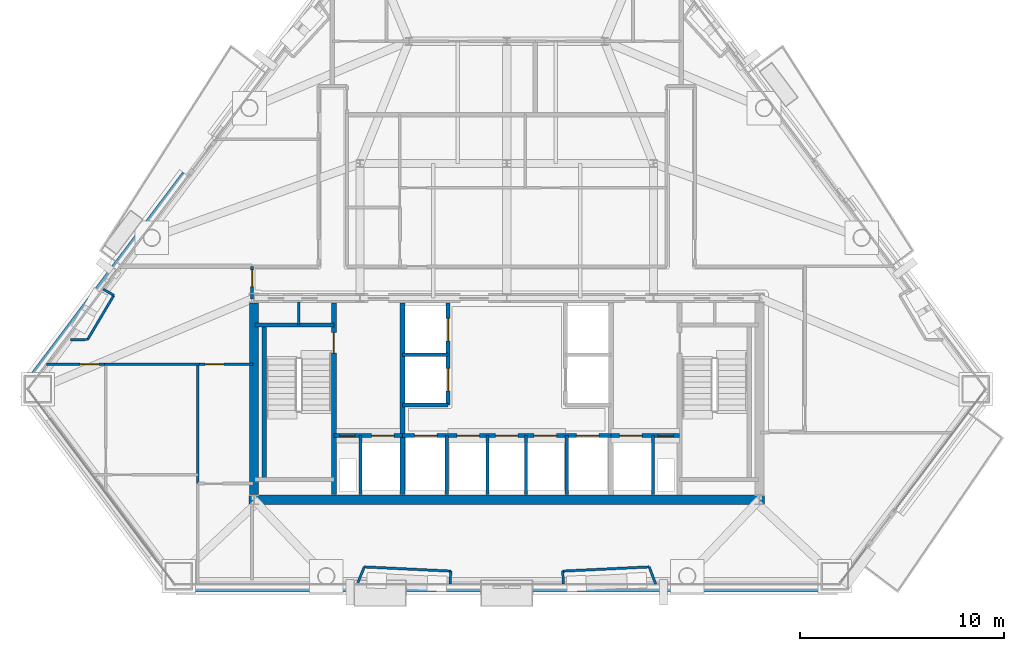
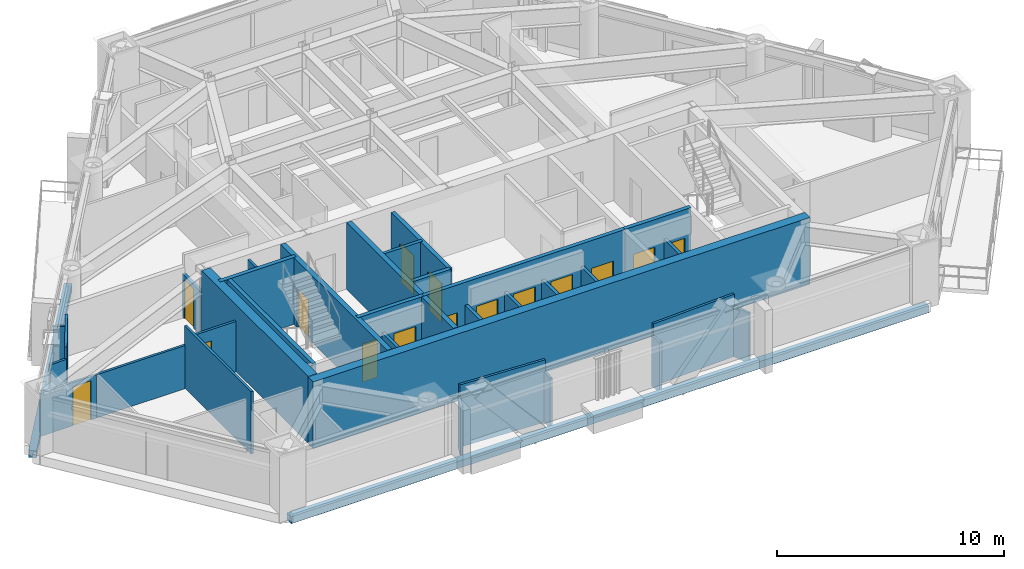
# One storey, part 6 of 11: 35 walls, 15 doors, 15 openings.
"""IFC4 building model written with IfcOpenShell, lengths in metres."""

import ifcopenshell
import ifcopenshell.guid

model = None  # the IFC model being written
_history = None  # IfcOwnerHistory: only IFC2X3 demands one
_inside = {}  # id of a spatial element -> (the spatial element, [elements in it])
_under = {}  # id of a project, library or spatial element -> (it, [spatial elements below it])
_declared = {}  # id of a project -> (the project, [libraries it declares])
_typed = {}  # id of a type object -> (the type object, [elements of that type])
_made_of = {}  # id of a material, layer set ... -> (it, [elements and type objects made of it])


def new_model(schema):
    """Start an empty IFC model of exactly this schema.

    Asked for "IFC4X3", IfcOpenShell would pick the latest addendum, in which some entities
    have other attributes; the version numbers below select the first issue.
    IFC2X3 requires an IfcOwnerHistory on every rooted entity: one is made here for all.
    """
    global model, _history
    if schema == "IFC4X3":
        model = ifcopenshell.file(schema_version=(4, 3, 0, 0))
    else:
        model = ifcopenshell.file(schema=schema)
    _inside.clear()
    _under.clear()
    _declared.clear()
    _typed.clear()
    _made_of.clear()
    _history = None
    if model.schema == "IFC2X3":
        org = make("IfcOrganization", Name="unknown")
        user = make(
            "IfcPersonAndOrganization",
            ThePerson=make("IfcPerson", FamilyName="unknown"),
            TheOrganization=org,
        )
        app = make(
            "IfcApplication",
            ApplicationDeveloper=org,
            Version="unknown",
            ApplicationFullName="unknown",
            ApplicationIdentifier="unknown",
        )
        _history = make(
            "IfcOwnerHistory",
            OwningUser=user,
            OwningApplication=app,
            ChangeAction="ADDED",
            CreationDate=0,
        )
    return model


def make(cls, **values):
    """One entity of the class cls with the attributes given. An attribute that is None is left unset."""
    return model.create_entity(
        cls, **{name: value for name, value in values.items() if value is not None}
    )


def rooted(cls, **values):
    """An entity with a GlobalId (a new one), such as an element, a storey or a relation."""
    return make(cls, GlobalId=ifcopenshell.guid.new(), OwnerHistory=_history, **values)


def si_unit(unit_type, name, prefix=None):
    """IfcSIUnit, for example si_unit("LENGTHUNIT", "METRE", prefix="MILLI")."""
    return make("IfcSIUnit", UnitType=unit_type, Prefix=prefix, Name=name)


def assignment(units):
    """IfcUnitAssignment: the units of a project."""
    return None if units is None else make("IfcUnitAssignment", Units=units)


def point(xyz):
    """IfcCartesianPoint."""
    return None if xyz is None else make("IfcCartesianPoint", Coordinates=xyz)


def direction(xyz):
    """IfcDirection."""
    return None if xyz is None else make("IfcDirection", DirectionRatios=xyz)


def frame(location, z_axis=None, x_axis=None):
    """IfcAxis2Placement3D, a coordinate frame: its origin and axes. An axis left out is left unset."""
    return make(
        "IfcAxis2Placement3D",
        Location=point(location),
        Axis=direction(z_axis),
        RefDirection=direction(x_axis),
    )


def frame_2d(location, x_axis=None):
    """IfcAxis2Placement2D, a coordinate frame in the plane: its origin and x axis."""
    return make(
        "IfcAxis2Placement2D", Location=point(location), RefDirection=direction(x_axis)
    )


def origin():
    """The frame at (0, 0, 0) with its axes left unset."""
    return frame((0.0, 0.0, 0.0))


def place(relative_to, where):
    """IfcLocalPlacement: puts the frame where relative to a parent placement (None: the world)."""
    return make(
        "IfcLocalPlacement", PlacementRelTo=relative_to, RelativePlacement=where
    )


def context(
    kind, dimensions, precision=None, world=None, true_north=None, identifier=None
):
    """IfcGeometricRepresentationContext, for example the 3D "Model" context."""
    return make(
        "IfcGeometricRepresentationContext",
        ContextIdentifier=identifier,
        ContextType=kind,
        CoordinateSpaceDimension=dimensions,
        Precision=precision,
        WorldCoordinateSystem=world,
        TrueNorth=true_north,
    )


def subcontext(parent, identifier, kind, view, scale=None):
    """IfcGeometricRepresentationSubContext, for example "Body" below "Model"."""
    return make(
        "IfcGeometricRepresentationSubContext",
        ContextIdentifier=identifier,
        ContextType=kind,
        ParentContext=parent,
        TargetScale=scale,
        TargetView=view,
    )


def project(units=None, contexts=None):
    """IfcProject with its units and contexts."""
    return rooted(
        "IfcProject",
        Name="project",
        RepresentationContexts=contexts,
        UnitsInContext=assignment(units),
    )


def spatial(cls, under=None, at=None, **own):
    """A site, building, storey or space (cls), placed at a placement, below another one or the project."""
    s = rooted(cls, ObjectPlacement=at, **own)
    if under is not None:
        _under.setdefault(under.id(), (under, []))[1].append(s)
    return s


def profile(cls, at=None, kind="AREA", **sizes):
    """A parametric profile (cls). Its sizes go by their IFC names, for example OverallWidth=200.0."""
    return make(cls, ProfileType=kind, Position=at, **sizes)


def rectangle(**sizes):
    """IfcRectangleProfileDef."""
    return profile("IfcRectangleProfileDef", **sizes)


def extrude(swept, where, along, depth):
    """IfcExtrudedAreaSolid: the profile swept, set in the frame where, extruded along a direction by depth."""
    return make(
        "IfcExtrudedAreaSolid",
        SweptArea=swept,
        Position=where,
        ExtrudedDirection=direction(along),
        Depth=depth,
    )


def shape(context_of_items, identifier, shape_type, items):
    """IfcShapeRepresentation: the items that make up one representation, for example the "Body"."""
    return make(
        "IfcShapeRepresentation",
        ContextOfItems=context_of_items,
        RepresentationIdentifier=identifier,
        RepresentationType=shape_type,
        Items=items,
    )


def material(Name=None, Category=None):
    """IfcMaterial."""
    return make("IfcMaterial", Name=Name, Category=Category)


def layer(
    of_material, thickness, ventilated=None, Name=None, Category=None, Priority=None
):
    """IfcMaterialLayer: one layer of a wall or slab, of a material (None: an air gap)."""
    return make(
        "IfcMaterialLayer",
        Material=of_material,
        LayerThickness=thickness,
        IsVentilated=ventilated,
        Name=Name,
        Category=Category,
        Priority=Priority,
    )


def layer_set(layers, Name=None):
    """IfcMaterialLayerSet."""
    return make("IfcMaterialLayerSet", MaterialLayers=layers, LayerSetName=Name)


def made_of(thing, what):
    """Note that an element or type object is made of a material, layer set ...; save() writes the relation."""
    if what is not None:
        _made_of.setdefault(what.id(), (what, []))[1].append(thing)
    return thing


def type_object(cls, material=None, **own):
    """A type object (cls), such as IfcWallType, which elements share."""
    return made_of(rooted(cls, **own), material)


def element(
    cls,
    number,
    at=None,
    inside=None,
    cuts=None,
    type_object=None,
    material=None,
    context=None,
    identifier="Body",
    shape_type=None,
    held_by="IfcProductDefinitionShape",
    body=None,
    shapes=None,
    **own,
):
    """One element of the class cls, such as IfcWall. Its Tag is "e" and its number.

    at: its placement. inside: the storey or other place that contains it. cuts: it is an
    opening in that element (IfcRelVoidsElement). A single representation is given by context,
    identifier, shape_type and body (its items); several are given by shapes. held_by: the class
    of the entity that holds the representations. save() writes the other relations.
    """
    e = rooted(cls, Tag="e%d" % number, ObjectPlacement=at, **own)
    if body is not None:
        shapes = [shape(context, identifier, shape_type, body)]
    if shapes is not None:
        e.Representation = make(held_by, Representations=shapes)
    if inside is not None:
        _inside.setdefault(inside.id(), (inside, []))[1].append(e)
    if cuts is not None:
        rooted(
            "IfcRelVoidsElement", RelatingBuildingElement=cuts, RelatedOpeningElement=e
        )
    if type_object is not None:
        _typed.setdefault(type_object.id(), (type_object, []))[1].append(e)
    return made_of(e, material)


def fill(opening, filler):
    """IfcRelFillsElement: the door or window that sits in an opening."""
    return rooted(
        "IfcRelFillsElement",
        RelatingOpeningElement=opening,
        RelatedBuildingElement=filler,
    )


def aggregate(whole, parts):
    """IfcRelAggregates: a whole, such as a stair, and the parts it consists of."""
    return rooted("IfcRelAggregates", RelatingObject=whole, RelatedObjects=parts)


def save(model, path):
    """Write the relations noted so far, then the file.

    IfcRelAggregates (storeys below a building ...), IfcRelContainedInSpatialStructure (elements
    in a storey), IfcRelDefinesByType, IfcRelAssociatesMaterial and IfcRelDeclares: one each for
    every whole, place, type object, material and project.
    """
    for whole, parts in _under.values():
        aggregate(whole, parts)
    for where, things in _inside.values():
        rooted(
            "IfcRelContainedInSpatialStructure",
            RelatedElements=things,
            RelatingStructure=where,
        )
    for kind, things in _typed.values():
        rooted("IfcRelDefinesByType", RelatedObjects=things, RelatingType=kind)
    for what, things in _made_of.values():
        rooted("IfcRelAssociatesMaterial", RelatedObjects=things, RelatingMaterial=what)
    for by, libraries in _declared.values():
        rooted("IfcRelDeclares", RelatingContext=by, RelatedDefinitions=libraries)
    model.write(path)


model = new_model("IFC4")

# Units and contexts
model_context = context("Model", 3, precision=1e-05, world=origin(), true_north=direction((0.0, 1.0)))
body_context = subcontext(model_context, "Body", "Model", "MODEL_VIEW")
ifc_project = project(units=[si_unit("LENGTHUNIT", "METRE"), si_unit("AREAUNIT", "SQUARE_METRE"), si_unit("VOLUMEUNIT", "CUBIC_METRE"), si_unit("PLANEANGLEUNIT", "RADIAN"), si_unit("MASSUNIT", "GRAM", prefix="KILO")], contexts=[model_context])

# Site, building, storey
site_placement = place(None, origin())
site = spatial("IfcSite", under=ifc_project, at=site_placement, CompositionType="ELEMENT")
building_placement = place(site_placement, origin())
building = spatial("IfcBuilding", under=site, at=building_placement, Name="Talgorran Terracotta Tower", CompositionType="ELEMENT")
storey_placement = place(building_placement, frame((0.0, 0.0, 79.199951171875)))
storey = spatial("IfcBuildingStorey", under=building, at=storey_placement, Name="L20", CompositionType="ELEMENT", Elevation=79.199951171875)

# Walls
ifc_material_1 = material(Name="Concrete C50/60", Category="concrete")
ifc_layer_1 = layer(ifc_material_1, 0.199951171875, Name="WT_CORE_200")
ifc_layer_set_1 = layer_set([ifc_layer_1], Name="Concrete C50/60")
wall_type_1 = type_object("IfcWallType", Name="WT_CORE_200", PredefinedType="SOLIDWALL", material=ifc_layer_set_1)
wall_1_placement = place(storey_placement, frame((-12.35009765625, -5.52001953125, 0.0), z_axis=(0.0, 0.0, 1.0), x_axis=(1.0, 0.0, 0.0)))
element("IfcWall", 1, at=wall_1_placement, inside=storey, type_object=wall_type_1, Name="WL-L20-CW-ST1-N", PredefinedType="SOLIDWALL", context=body_context, shape_type="SweptSolid", body=[
    extrude(rectangle(XDim=3.8701171875, YDim=0.199951171875, at=frame_2d((1.93505859375, 0.0))), origin(), (0.0, 0.0, 1.0), 3.60009765625),
])
wall_2_placement = place(storey_placement, frame((-11.89990234375, -13.10009765625, 0.0), z_axis=(0.0, 0.0, 1.0), x_axis=(0.0, 1.0, 0.0)))
element("IfcWall", 2, at=wall_2_placement, inside=storey, type_object=wall_type_1, Name="WL-L20-CW-ST1-W", PredefinedType="SOLIDWALL", context=body_context, shape_type="SweptSolid", body=[
    extrude(rectangle(XDim=7.580078125, YDim=0.199951171875, at=frame_2d((3.7900390625, 0.0))), origin(), (0.0, 0.0, 1.0), 3.60009765625),
])

# Wall, openings, doors
wall_3_placement = place(storey_placement, frame((-8.47998046875, -10.949951171875, 0.0), z_axis=(0.0, 0.0, 1.0), x_axis=(1.0, 0.0, 0.0)))
wall_3 = element("IfcWall", 3, at=wall_3_placement, inside=storey, type_object=wall_type_1, Name="WL-L20-CW-H-SBW", PredefinedType="SOLIDWALL", context=body_context, shape_type="SweptSolid", body=[
    extrude(rectangle(XDim=3.35986328125, YDim=0.199951171875, at=frame_2d((1.679931640625, 0.0))), origin(), (0.0, 0.0, 1.0), 3.60009765625),
])
opening_1_placement = place(wall_3_placement, frame((0.280029296875, 0.0, 0.0)))
opening_1 = element("IfcOpeningElement", 4, at=opening_1_placement, cuts=wall_3, Name="Opening DR-RSW", PredefinedType="OPENING", context=body_context, shape_type="SweptSolid", body=[
    extrude(rectangle(XDim=0.756, YDim=2.054048828125, at=frame_2d((0.375, 1.027099609375))), frame((0.0, 0.10986328125, 0.0), z_axis=(0.0, -1.0, 0.0), x_axis=(1.0, 0.0, 0.0)), (0.0, 0.0, 1.0), 0.219970703125),
])
opening_2_placement = place(wall_3_placement, frame((1.85009765625, 0.0, 0.0)))
opening_2 = element("IfcOpeningElement", 5, at=opening_2_placement, cuts=wall_3, Name="Opening LD-FFL1", PredefinedType="OPENING", context=body_context, shape_type="SweptSolid", body=[
    extrude(rectangle(XDim=1.10609765625, YDim=2.10409765625, at=frame_2d((0.550048828125, 1.052001953125))), frame((0.0, 0.10986328125, 0.0), z_axis=(0.0, -1.0, 0.0), x_axis=(1.0, 0.0, 0.0)), (0.0, 0.0, 1.0), 0.219970703125),
])
ifc_material_2 = material(Name="Brushed Stainless Steel Grade 304", Category="steel")
door_type_1 = type_object("IfcDoorType", Name="DT_LIFT_LD1100", OperationType="DOUBLE_DOOR_SLIDING", PredefinedType="DOOR", material=ifc_material_2)
door_1_placement = place(opening_2_placement, origin())
door_1 = element("IfcDoor", 6, at=door_1_placement, inside=storey, type_object=door_type_1, Name="L20 Lift Landing Door LD-FFL1", OperationType="DOUBLE_DOOR_SLIDING", OverallHeight=2.10009765625, OverallWidth=1.10009765625, PredefinedType="DOOR", context=body_context, shape_type="SweptSolid", body=[
    extrude(rectangle(XDim=1.10009765625, YDim=2.10009765625, at=frame_2d((0.550048828125, 1.050048828125))), frame((0.0, 0.02490234375, 0.0), z_axis=(0.0, -1.0, 0.0), x_axis=(1.0, 0.0, 0.0)), (0.0, 0.0, 1.0), 0.050048828125),
])
fill(opening_2, door_1)
ifc_material_3 = material(Name="Fire-Rated Pressed Steel", Category="steel")
door_type_2 = type_object("IfcDoorType", Name="DT_RISER_750", OperationType="NOTDEFINED", PredefinedType="DOOR", material=ifc_material_3)
door_2_placement = place(opening_1_placement, origin())
door_2 = element("IfcDoor", 7, at=door_2_placement, inside=storey, type_object=door_type_2, Name="DR-RSW", OperationType="SINGLE_SWING_LEFT", OverallHeight=2.050048828125, OverallWidth=0.75, PredefinedType="DOOR", context=body_context, shape_type="SweptSolid", body=[
    extrude(rectangle(XDim=0.75, YDim=2.050048828125, at=frame_2d((0.375, 1.02490234375))), frame((0.0, 0.02490234375, 0.0), z_axis=(0.0, -1.0, 0.0), x_axis=(1.0, 0.0, 0.0)), (0.0, 0.0, 1.0), 0.050048828125),
])
fill(opening_1, door_2)

wall_4_placement = place(storey_placement, frame((-5.1201171875, -10.949951171875, 0.0), z_axis=(0.0, 0.0, 1.0), x_axis=(1.0, 0.0, 0.0)))
wall_4 = element("IfcWall", 8, at=wall_4_placement, inside=storey, type_object=wall_type_1, Name="WL-L20-CW-H-SBC", PredefinedType="SOLIDWALL", context=body_context, shape_type="SweptSolid", body=[
    extrude(rectangle(XDim=10.240234375, YDim=0.199951171875, at=frame_2d((5.1201171875, 0.0))), origin(), (0.0, 0.0, 1.0), 3.60009765625),
])
opening_3_placement = place(wall_4_placement, frame((0.60009765625, 0.0, 0.0)))
opening_3 = element("IfcOpeningElement", 9, at=opening_3_placement, cuts=wall_4, Name="Opening LD-OB1", PredefinedType="OPENING", context=body_context, shape_type="SweptSolid", body=[
    extrude(rectangle(XDim=1.10609765625, YDim=2.10409765625, at=frame_2d((0.550048828125, 1.052001953125))), frame((0.0, 0.10986328125, 0.0), z_axis=(0.0, -1.0, 0.0), x_axis=(1.0, 0.0, 0.0)), (0.0, 0.0, 1.0), 0.219970703125),
])
opening_4_placement = place(wall_4_placement, frame((2.669921875, 0.0, 0.0)))
opening_4 = element("IfcOpeningElement", 10, at=opening_4_placement, cuts=wall_4, Name="Opening LD-PLH1", PredefinedType="OPENING", context=body_context, shape_type="SweptSolid", body=[
    extrude(rectangle(XDim=1.10609765625, YDim=2.10409765625, at=frame_2d((0.550048828125, 1.052001953125))), frame((0.0, 0.10986328125, 0.0), z_axis=(0.0, -1.0, 0.0), x_axis=(1.0, 0.0, 0.0)), (0.0, 0.0, 1.0), 0.219970703125),
])
opening_5_placement = place(wall_4_placement, frame((4.570068359375, 0.0, 0.0)))
opening_5 = element("IfcOpeningElement", 11, at=opening_5_placement, cuts=wall_4, Name="Opening LD-PLH2", PredefinedType="OPENING", context=body_context, shape_type="SweptSolid", body=[
    extrude(rectangle(XDim=1.10609765625, YDim=2.10409765625, at=frame_2d((0.550048828125, 1.052001953125))), frame((0.0, 0.10986328125, 0.0), z_axis=(0.0, -1.0, 0.0), x_axis=(1.0, 0.0, 0.0)), (0.0, 0.0, 1.0), 0.219970703125),
])
opening_6_placement = place(wall_4_placement, frame((6.469970703125, 0.0, 0.0)))
opening_6 = element("IfcOpeningElement", 12, at=opening_6_placement, cuts=wall_4, Name="Opening LD-PLH3", PredefinedType="OPENING", context=body_context, shape_type="SweptSolid", body=[
    extrude(rectangle(XDim=1.10609765625, YDim=2.10409765625, at=frame_2d((0.550048828125, 1.052001953125))), frame((0.0, 0.10986328125, 0.0), z_axis=(0.0, -1.0, 0.0), x_axis=(1.0, 0.0, 0.0)), (0.0, 0.0, 1.0), 0.219970703125),
])
opening_7_placement = place(wall_4_placement, frame((8.5400390625, 0.0, 0.0)))
opening_7 = element("IfcOpeningElement", 13, at=opening_7_placement, cuts=wall_4, Name="Opening LD-SVL1", PredefinedType="OPENING", context=body_context, shape_type="SweptSolid", body=[
    extrude(rectangle(XDim=1.10609765625, YDim=2.10409765625, at=frame_2d((0.550048828125, 1.052001953125))), frame((0.0, 0.10986328125, 0.0), z_axis=(0.0, -1.0, 0.0), x_axis=(1.0, 0.0, 0.0)), (0.0, 0.0, 1.0), 0.219970703125),
])
door_3_placement = place(opening_3_placement, origin())
door_3 = element("IfcDoor", 14, at=door_3_placement, inside=storey, type_object=door_type_1, Name="L20 Lift Landing Door LD-OB1", OperationType="DOUBLE_DOOR_SLIDING", OverallHeight=2.10009765625, OverallWidth=1.10009765625, PredefinedType="DOOR", context=body_context, shape_type="SweptSolid", body=[
    extrude(rectangle(XDim=1.10009765625, YDim=2.10009765625, at=frame_2d((0.550048828125, 1.050048828125))), frame((0.0, 0.02490234375, 0.0), z_axis=(0.0, -1.0, 0.0), x_axis=(1.0, 0.0, 0.0)), (0.0, 0.0, 1.0), 0.050048828125),
])
fill(opening_3, door_3)
door_4_placement = place(opening_4_placement, origin())
door_4 = element("IfcDoor", 15, at=door_4_placement, inside=storey, type_object=door_type_1, Name="L20 Lift Landing Door LD-PLH1", OperationType="DOUBLE_DOOR_SLIDING", OverallHeight=2.10009765625, OverallWidth=1.10009765625, PredefinedType="DOOR", context=body_context, shape_type="SweptSolid", body=[
    extrude(rectangle(XDim=1.10009765625, YDim=2.10009765625, at=frame_2d((0.550048828125, 1.050048828125))), frame((0.0, 0.02490234375, 0.0), z_axis=(0.0, -1.0, 0.0), x_axis=(1.0, 0.0, 0.0)), (0.0, 0.0, 1.0), 0.050048828125),
])
fill(opening_4, door_4)
door_5_placement = place(opening_5_placement, origin())
door_5 = element("IfcDoor", 16, at=door_5_placement, inside=storey, type_object=door_type_1, Name="L20 Lift Landing Door LD-PLH2", OperationType="DOUBLE_DOOR_SLIDING", OverallHeight=2.10009765625, OverallWidth=1.10009765625, PredefinedType="DOOR", context=body_context, shape_type="SweptSolid", body=[
    extrude(rectangle(XDim=1.10009765625, YDim=2.10009765625, at=frame_2d((0.550048828125, 1.050048828125))), frame((0.0, 0.02490234375, 0.0), z_axis=(0.0, -1.0, 0.0), x_axis=(1.0, 0.0, 0.0)), (0.0, 0.0, 1.0), 0.050048828125),
])
fill(opening_5, door_5)
door_6_placement = place(opening_6_placement, origin())
door_6 = element("IfcDoor", 17, at=door_6_placement, inside=storey, type_object=door_type_1, Name="L20 Lift Landing Door LD-PLH3", OperationType="DOUBLE_DOOR_SLIDING", OverallHeight=2.10009765625, OverallWidth=1.10009765625, PredefinedType="DOOR", context=body_context, shape_type="SweptSolid", body=[
    extrude(rectangle(XDim=1.10009765625, YDim=2.10009765625, at=frame_2d((0.550048828125, 1.050048828125))), frame((0.0, 0.02490234375, 0.0), z_axis=(0.0, -1.0, 0.0), x_axis=(1.0, 0.0, 0.0)), (0.0, 0.0, 1.0), 0.050048828125),
])
fill(opening_6, door_6)
door_7_placement = place(opening_7_placement, origin())
door_7 = element("IfcDoor", 18, at=door_7_placement, inside=storey, type_object=door_type_1, Name="L20 Lift Landing Door LD-SVL1", OperationType="DOUBLE_DOOR_SLIDING", OverallHeight=2.10009765625, OverallWidth=1.10009765625, PredefinedType="DOOR", context=body_context, shape_type="SweptSolid", body=[
    extrude(rectangle(XDim=1.10009765625, YDim=2.10009765625, at=frame_2d((0.550048828125, 1.050048828125))), frame((0.0, 0.02490234375, 0.0), z_axis=(0.0, -1.0, 0.0), x_axis=(1.0, 0.0, 0.0)), (0.0, 0.0, 1.0), 0.050048828125),
])
fill(opening_7, door_7)

wall_5_placement = place(storey_placement, frame((5.1201171875, -10.949951171875, 0.0), z_axis=(0.0, 0.0, 1.0), x_axis=(1.0, 0.0, 0.0)))
wall_5 = element("IfcWall", 19, at=wall_5_placement, inside=storey, type_object=wall_type_1, Name="WL-L20-CW-H-SBE", PredefinedType="SOLIDWALL", context=body_context, shape_type="SweptSolid", body=[
    extrude(rectangle(XDim=3.35986328125, YDim=0.199951171875, at=frame_2d((1.679931640625, 0.0))), origin(), (0.0, 0.0, 1.0), 3.60009765625),
])
opening_8_placement = place(wall_5_placement, frame((0.419921875, 0.0, 0.0)))
opening_8 = element("IfcOpeningElement", 20, at=opening_8_placement, cuts=wall_5, Name="Opening LD-FFL2", PredefinedType="OPENING", context=body_context, shape_type="SweptSolid", body=[
    extrude(rectangle(XDim=1.10609765625, YDim=2.10409765625, at=frame_2d((0.550048828125, 1.052001953125))), frame((0.0, 0.10986328125, 0.0), z_axis=(0.0, -1.0, 0.0), x_axis=(1.0, 0.0, 0.0)), (0.0, 0.0, 1.0), 0.219970703125),
])
opening_9_placement = place(wall_5_placement, frame((2.300048828125, 0.0, 0.0)))
opening_9 = element("IfcOpeningElement", 21, at=opening_9_placement, cuts=wall_5, Name="Opening DR-RSE", PredefinedType="OPENING", context=body_context, shape_type="SweptSolid", body=[
    extrude(rectangle(XDim=0.756, YDim=2.054048828125, at=frame_2d((0.375, 1.027099609375))), frame((0.0, 0.10986328125, 0.0), z_axis=(0.0, -1.0, 0.0), x_axis=(1.0, 0.0, 0.0)), (0.0, 0.0, 1.0), 0.219970703125),
])
door_8_placement = place(opening_8_placement, origin())
door_8 = element("IfcDoor", 22, at=door_8_placement, inside=storey, type_object=door_type_1, Name="L20 Lift Landing Door LD-FFL2", OperationType="DOUBLE_DOOR_SLIDING", OverallHeight=2.10009765625, OverallWidth=1.10009765625, PredefinedType="DOOR", context=body_context, shape_type="SweptSolid", body=[
    extrude(rectangle(XDim=1.10009765625, YDim=2.10009765625, at=frame_2d((0.550048828125, 1.050048828125))), frame((0.0, 0.02490234375, 0.0), z_axis=(0.0, -1.0, 0.0), x_axis=(1.0, 0.0, 0.0)), (0.0, 0.0, 1.0), 0.050048828125),
])
fill(opening_8, door_8)
door_9_placement = place(opening_9_placement, origin())
door_9 = element("IfcDoor", 23, at=door_9_placement, inside=storey, type_object=door_type_2, Name="DR-RSE", OperationType="SINGLE_SWING_RIGHT", OverallHeight=2.050048828125, OverallWidth=0.75, PredefinedType="DOOR", context=body_context, shape_type="SweptSolid", body=[
    extrude(rectangle(XDim=0.75, YDim=2.050048828125, at=frame_2d((0.375, 1.02490234375))), frame((0.0, 0.02490234375, 0.0), z_axis=(0.0, -1.0, 0.0), x_axis=(1.0, 0.0, 0.0)), (0.0, 0.0, 1.0), 0.050048828125),
])
fill(opening_9, door_9)

wall_6_placement = place(storey_placement, frame((-2.8798828125, -9.449951171875, 0.0), z_axis=(0.0, 0.0, 1.0), x_axis=(0.0, 1.0, 0.0)))
wall_6 = element("IfcWall", 24, at=wall_6_placement, inside=storey, type_object=wall_type_1, Name="WL-L20-CW-V-W3", PredefinedType="SOLIDWALL", context=body_context, shape_type="SweptSolid", body=[
    extrude(rectangle(XDim=5.0, YDim=0.199951171875, at=frame_2d((2.5, 0.0))), origin(), (0.0, 0.0, 1.0), 3.35009765625),
])
opening_10_placement = place(wall_6_placement, frame((0.699951171875, 0.0, 0.0)))
opening_10 = element("IfcOpeningElement", 25, at=opening_10_placement, cuts=wall_6, Name="Opening LD-PLL1", PredefinedType="OPENING", context=body_context, shape_type="SweptSolid", body=[
    extrude(rectangle(XDim=1.10609765625, YDim=2.10409765625, at=frame_2d((0.550048828125, 1.052001953125))), frame((0.0, 0.10986328125, 0.0), z_axis=(0.0, -1.0, 0.0), x_axis=(1.0, 0.0, 0.0)), (0.0, 0.0, 1.0), 0.219970703125),
])
opening_11_placement = place(wall_6_placement, frame((3.14990234375, 0.0, 0.0)))
opening_11 = element("IfcOpeningElement", 26, at=opening_11_placement, cuts=wall_6, Name="Opening LD-PLL2", PredefinedType="OPENING", context=body_context, shape_type="SweptSolid", body=[
    extrude(rectangle(XDim=1.10609765625, YDim=2.10409765625, at=frame_2d((0.550048828125, 1.052001953125))), frame((0.0, 0.10986328125, 0.0), z_axis=(0.0, -1.0, 0.0), x_axis=(1.0, 0.0, 0.0)), (0.0, 0.0, 1.0), 0.219970703125),
])
door_10_placement = place(opening_10_placement, origin())
door_10 = element("IfcDoor", 27, at=door_10_placement, inside=storey, type_object=door_type_1, Name="L20 Lift Landing Door LD-PLL1", OperationType="DOUBLE_DOOR_SLIDING", OverallHeight=2.10009765625, OverallWidth=1.10009765625, PredefinedType="DOOR", context=body_context, shape_type="SweptSolid", body=[
    extrude(rectangle(XDim=1.10009765625, YDim=2.10009765625, at=frame_2d((0.550048828125, 1.050048828125))), frame((0.0, 0.02490234375, 0.0), z_axis=(0.0, -1.0, 0.0), x_axis=(1.0, 0.0, 0.0)), (0.0, 0.0, 1.0), 0.050048828125),
])
fill(opening_10, door_10)
door_11_placement = place(opening_11_placement, origin())
door_11 = element("IfcDoor", 28, at=door_11_placement, inside=storey, type_object=door_type_1, Name="L20 Lift Landing Door LD-PLL2", OperationType="DOUBLE_DOOR_SLIDING", OverallHeight=2.10009765625, OverallWidth=1.10009765625, PredefinedType="DOOR", context=body_context, shape_type="SweptSolid", body=[
    extrude(rectangle(XDim=1.10009765625, YDim=2.10009765625, at=frame_2d((0.550048828125, 1.050048828125))), frame((0.0, 0.02490234375, 0.0), z_axis=(0.0, -1.0, 0.0), x_axis=(1.0, 0.0, 0.0)), (0.0, 0.0, 1.0), 0.050048828125),
])
fill(opening_11, door_11)

# Wall
wall_7_placement = place(storey_placement, frame((-5.1201171875, -9.449951171875, 0.0), z_axis=(0.0, 0.0, 1.0), x_axis=(1.0, 0.0, 0.0)))
element("IfcWall", 29, at=wall_7_placement, inside=storey, type_object=wall_type_1, Name="WL-L20-CW-H-W4", PredefinedType="SOLIDWALL", context=body_context, shape_type="SweptSolid", body=[
    extrude(rectangle(XDim=2.240234375, YDim=0.199951171875, at=frame_2d((1.1201171875, 0.0))), origin(), (0.0, 0.0, 1.0), 3.35009765625),
])

# Wall, opening, door
ifc_layer_2 = layer(ifc_material_1, 0.25, Name="WT_CORE_250")
ifc_layer_set_2 = layer_set([ifc_layer_2], Name="Concrete C50/60")
wall_type_2 = type_object("IfcWallType", Name="WT_CORE_250", PredefinedType="SHEAR", material=ifc_layer_set_2)
wall_8_placement = place(storey_placement, frame((-8.47998046875, -13.85009765625, 0.0), z_axis=(0.0, 0.0, 1.0), x_axis=(0.0, 1.0, 0.0)))
wall_8 = element("IfcWall", 30, at=wall_8_placement, inside=storey, type_object=wall_type_2, Name="WL-L20-CW-V-W1", PredefinedType="SHEAR", context=body_context, shape_type="SweptSolid", body=[
    extrude(rectangle(XDim=9.400146484375, YDim=0.25, at=frame_2d((4.7001953125, 0.0))), origin(), (0.0, 0.0, 1.0), 3.60009765625),
])
opening_12_placement = place(wall_8_placement, frame((6.949951171875, 0.0, 0.0)))
opening_12 = element("IfcOpeningElement", 31, at=opening_12_placement, cuts=wall_8, Name="Opening DR-ST01", PredefinedType="OPENING", context=body_context, shape_type="SweptSolid", body=[
    extrude(rectangle(XDim=1.006, YDim=2.10409765625, at=frame_2d((0.5, 1.052001953125))), frame((0.0, 0.135009765625, 0.0), z_axis=(0.0, -1.0, 0.0), x_axis=(1.0, 0.0, 0.0)), (0.0, 0.0, 1.0), 0.27001953125),
])
door_type_3 = type_object("IfcDoorType", Name="DT_FIRE_1000", OperationType="NOTDEFINED", PredefinedType="DOOR", material=ifc_material_3)
door_12_placement = place(opening_12_placement, origin())
door_12 = element("IfcDoor", 32, at=door_12_placement, inside=storey, type_object=door_type_3, Name="DR-ST01", OperationType="SINGLE_SWING_LEFT", OverallHeight=2.10009765625, OverallWidth=1.0, PredefinedType="DOOR", context=body_context, shape_type="SweptSolid", body=[
    extrude(rectangle(XDim=1.0, YDim=2.10009765625, at=frame_2d((0.5, 1.050048828125))), frame((0.0, 0.02490234375, 0.0), z_axis=(0.0, -1.0, 0.0), x_axis=(1.0, 0.0, 0.0)), (0.0, 0.0, 1.0), 0.050048828125),
])
fill(opening_12, door_12)

# Walls
wall_9_placement = place(storey_placement, frame((-5.1201171875, -13.85009765625, 0.0), z_axis=(0.0, 0.0, 1.0), x_axis=(0.0, 1.0, 0.0)))
element("IfcWall", 33, at=wall_9_placement, inside=storey, type_object=wall_type_2, Name="WL-L20-CW-V-W2", PredefinedType="SHEAR", context=body_context, shape_type="SweptSolid", body=[
    extrude(rectangle(XDim=9.400146484375, YDim=0.25, at=frame_2d((4.7001953125, 0.0))), origin(), (0.0, 0.0, 1.0), 3.60009765625),
])
ifc_material_4 = material(Name="Concrete C65/80", Category="concrete")
ifc_layer_3 = layer(ifc_material_4, 0.449951171875, Name="WT_CORE_EXT")
ifc_layer_set_3 = layer_set([ifc_layer_3], Name="Concrete C65/80")
wall_type_3 = type_object("IfcWallType", Name="WT_CORE_EXT", PredefinedType="SHEAR", material=ifc_layer_set_3)
wall_10_placement = place(storey_placement, frame((-12.64990234375, -14.10009765625, 0.0), z_axis=(0.0, 0.0, 1.0), x_axis=(1.0, 0.0, 0.0)))
element("IfcWall", 34, at=wall_10_placement, inside=storey, type_object=wall_type_3, Name="WL-L20-CW-OUT-S", PredefinedType="SHEAR", context=body_context, shape_type="SweptSolid", body=[
    extrude(rectangle(XDim=25.2998046875, YDim=0.449951171875, at=frame_2d((12.64990234375, 0.0))), origin(), (0.0, 0.0, 1.0), 3.60009765625),
])
wall_11_placement = place(storey_placement, frame((-12.39990234375, -13.85009765625, 0.0), z_axis=(0.0, 0.0, 1.0), x_axis=(0.0, 1.0, 0.0)))
element("IfcWall", 35, at=wall_11_placement, inside=storey, type_object=wall_type_3, Name="WL-L20-CW-OUT-W", PredefinedType="SHEAR", context=body_context, shape_type="SweptSolid", body=[
    extrude(rectangle(XDim=9.400146484375, YDim=0.449951171875, at=frame_2d((4.7001953125, 0.0))), origin(), (0.0, 0.0, 1.0), 3.60009765625),
])

# Wall, opening, door
ifc_material_5 = material(Name="Fire-Rated Steel Stud Plasterboard", Category="steel")
ifc_layer_4 = layer(ifc_material_5, 0.14990234375, Name="WT_FIRE_150")
ifc_layer_set_4 = layer_set([ifc_layer_4], Name="Fire-Rated Steel Stud Plasterboard")
wall_type_4 = type_object("IfcWallType", Name="WT_FIRE_150", PredefinedType="PARTITIONING", material=ifc_layer_set_4)
wall_12_placement = place(storey_placement, frame((-12.5, -4.239990234375, 0.0), z_axis=(0.0, 0.0, 1.0), x_axis=(0.0, 1.0, 0.0)))
wall_12 = element("IfcWall", 36, at=wall_12_placement, inside=storey, type_object=wall_type_4, Name="WL-L20-W-L20-R01", PredefinedType="PARTITIONING", context=body_context, shape_type="SweptSolid", body=[
    extrude(rectangle(XDim=1.60009765625, YDim=0.14990234375, at=frame_2d((0.800048828125, 0.0))), origin(), (0.0, 0.0, 1.0), 2.324951171875),
])
opening_13_placement = place(wall_12_placement, frame((0.602294921875, 0.0, 0.0)))
opening_13 = element("IfcOpeningElement", 37, at=opening_13_placement, cuts=wall_12, Name="Opening DR-L20-R01", PredefinedType="OPENING", context=body_context, shape_type="SweptSolid", body=[
    extrude(rectangle(XDim=0.826068359375, YDim=2.10409765625, at=frame_2d((0.41015625, 1.052001953125))), frame((0.0, 0.0849609375, 0.0), z_axis=(0.0, -1.0, 0.0), x_axis=(1.0, 0.0, 0.0)), (0.0, 0.0, 1.0), 0.169921875),
])
ifc_material_6 = material(Name="Moisture-Resistant Solid Timber", Category="wood")
door_type_4 = type_object("IfcDoorType", Name="DT_INT_820", OperationType="NOTDEFINED", PredefinedType="DOOR", material=ifc_material_6)
door_13_placement = place(opening_13_placement, origin())
door_13 = element("IfcDoor", 38, at=door_13_placement, inside=storey, type_object=door_type_4, Name="DR-L20-R01", OperationType="SINGLE_SWING_LEFT", OverallHeight=2.10009765625, OverallWidth=0.820068359375, PredefinedType="DOOR", context=body_context, shape_type="SweptSolid", body=[
    extrude(rectangle(XDim=0.820068359375, YDim=2.10009765625, at=frame_2d((0.41015625, 1.050048828125))), frame((0.0, 0.02490234375, 0.0), z_axis=(0.0, -1.0, 0.0), x_axis=(1.0, 0.0, 0.0)), (0.0, 0.0, 1.0), 0.050048828125),
])
fill(opening_13, door_13)

# Walls
ifc_material_7 = material(Name="Concrete C40/50", Category="concrete")
ifc_layer_5 = layer(ifc_material_7, 0.219970703125, Name="WT_PARAPET_RC")
ifc_layer_set_5 = layer_set([ifc_layer_5], Name="Concrete C40/50")
wall_type_5 = type_object("IfcWallType", Name="WT_PARAPET_RC", PredefinedType="PARAPET", material=ifc_layer_set_5)
wall_13_placement = place(storey_placement, frame((-16.22216796875, -18.40673828125, -0.199951171875), z_axis=(0.0, 0.0, 1.0), x_axis=(1.0, 0.0, 0.0)))
element("IfcWall", 39, at=wall_13_placement, inside=storey, type_object=wall_type_5, Name="L20 Striped Portal Precast Cornice F1", PredefinedType="PARAPET", context=body_context, shape_type="SweptSolid", body=[
    extrude(rectangle(XDim=32.4443359375, YDim=0.360107421875, at=frame_2d((16.22216796875, 0.0))), origin(), (0.0, 0.0, 1.0), 0.3798828125),
])
wall_14_placement = place(storey_placement, frame((-15.772705078125, 1.870849609375, -0.199951171875), z_axis=(0.0, 0.0, 1.0), x_axis=(-0.601241600035, -0.799067292778, 0.0)))
element("IfcWall", 40, at=wall_14_placement, inside=storey, type_object=wall_type_5, Name="L20 Striped Portal Precast Cornice F61", PredefinedType="PARAPET", context=body_context, shape_type="SweptSolid", body=[
    extrude(rectangle(XDim=12.95458984375, YDim=0.360107421875, at=frame_2d((6.477294921875, 0.0))), origin(), (0.0, 0.0, 1.0), 0.3798828125),
])
ifc_material_8 = material(Name="Insulated Steel Stud Plasterboard", Category="steel")
ifc_layer_6 = layer(ifc_material_8, 0.1201171875, Name="WT_PART_120")
ifc_layer_set_6 = layer_set([ifc_layer_6], Name="Insulated Steel Stud Plasterboard")
wall_type_6 = type_object("IfcWallType", Name="WT_PART_120", PredefinedType="PARTITIONING", material=ifc_layer_set_6)
wall_15_placement = place(storey_placement, frame((-10.199951171875, -5.52001953125, 0.0), z_axis=(0.0, 0.0, 1.0), x_axis=(0.0, 1.0, 0.0)))
element("IfcWall", 41, at=wall_15_placement, inside=storey, type_object=wall_type_6, Name="WL-L20-CW-CSW-DIV", PredefinedType="PARTITIONING", context=body_context, shape_type="SweptSolid", body=[
    extrude(rectangle(XDim=1.1201171875, YDim=0.1201171875, at=frame_2d((0.56005859375, 0.0))), origin(), (0.0, 0.0, 1.0), 3.35009765625),
])
wall_16_placement = place(storey_placement, frame((-15.159912109375, -13.300048828125, 0.0), z_axis=(0.0, 0.0, 1.0), x_axis=(0.0, 1.0, 0.0)))
element("IfcWall", 42, at=wall_16_placement, inside=storey, type_object=wall_type_6, Name="WL-L20-W-L20-R29", PredefinedType="PARTITIONING", context=body_context, shape_type="SweptSolid", body=[
    extrude(rectangle(XDim=5.860107421875, YDim=0.1201171875, at=frame_2d((2.93017578125, 0.0))), origin(), (0.0, 0.0, 1.0), 3.35009765625),
])
wall_17_placement = place(storey_placement, frame((-19.739990234375, -7.43994140625, 0.0), z_axis=(0.0, 0.0, 1.0), x_axis=(1.0, 0.0, 0.0)))
element("IfcWall", 43, at=wall_17_placement, inside=storey, type_object=wall_type_6, Name="WL-L20-W-L20-R24", PredefinedType="PARTITIONING", context=body_context, shape_type="SweptSolid", body=[
    extrude(rectangle(XDim=4.659912109375, YDim=0.1201171875, at=frame_2d((2.330078125, 0.0))), origin(), (0.0, 0.0, 1.0), 2.324951171875),
])
for number, where, z_axis, x_axis, name in (
    (44, (-6.989501953125, -17.391845703125, 0.0), (0.0, 0.0, 1.0), (0.998813238234, -0.048704364582, 0.0), "WL-L20-BW-L20-02"),
    (45, (2.748779296875, -17.5986328125, 0.0), (0.0, 0.0, 1.0), (0.998813238234, 0.048704364582, 0.0), "WL-L20-BW-L20-07"),
):
    element("IfcWall", number, at=place(storey_placement, frame(where, z_axis=z_axis, x_axis=x_axis)), inside=storey, type_object=wall_type_6, Name=name, PredefinedType="PARTITIONING", context=body_context, shape_type="SweptSolid", body=[
        extrude(rectangle(XDim=4.245849609375, YDim=0.1201171875, at=frame_2d((2.123046875, 0.0))), origin(), (0.0, 0.0, 1.0), 3.35009765625),
    ])

# Wall, opening, door
wall_18_placement = place(storey_placement, frame((-22.578125, -7.43994140625, 0.0), z_axis=(0.0, 0.0, 1.0), x_axis=(1.0, 0.0, 0.0)))
wall_18 = element("IfcWall", 46, at=wall_18_placement, inside=storey, type_object=wall_type_6, Name="WL-L20-W-L20-R23", PredefinedType="PARTITIONING", context=body_context, shape_type="SweptSolid", body=[
    extrude(rectangle(XDim=2.836181640625, YDim=0.1201171875, at=frame_2d((1.41796875, 0.0))), origin(), (0.0, 0.0, 1.0), 2.324951171875),
])
opening_14_placement = place(wall_18_placement, frame((1.6416015625, 0.0, 0.0)))
opening_14 = element("IfcOpeningElement", 47, at=opening_14_placement, cuts=wall_18, Name="Opening DR-L20-R24", PredefinedType="OPENING", context=body_context, shape_type="SweptSolid", body=[
    extrude(rectangle(XDim=0.925921875, YDim=2.10409765625, at=frame_2d((0.4599609375, 1.052001953125))), frame((0.0, 0.070068359375, 0.0), z_axis=(0.0, -1.0, 0.0), x_axis=(1.0, 0.0, 0.0)), (0.0, 0.0, 1.0), 0.14013671875),
])
ifc_material_9 = material(Name="Solid-Core Painted Timber", Category="wood")
door_type_5 = type_object("IfcDoorType", Name="DT_INT_920", OperationType="NOTDEFINED", PredefinedType="DOOR", material=ifc_material_9)
door_14_placement = place(opening_14_placement, origin())
door_14 = element("IfcDoor", 48, at=door_14_placement, inside=storey, type_object=door_type_5, Name="DR-L20-R24", OperationType="SINGLE_SWING_RIGHT", OverallHeight=2.10009765625, OverallWidth=0.919921875, PredefinedType="DOOR", context=body_context, shape_type="SweptSolid", body=[
    extrude(rectangle(XDim=0.919921875, YDim=2.10009765625, at=frame_2d((0.4599609375, 1.050048828125))), frame((0.0, 0.02490234375, 0.0), z_axis=(0.0, -1.0, 0.0), x_axis=(1.0, 0.0, 0.0)), (0.0, 0.0, 1.0), 0.050048828125),
])
fill(opening_14, door_14)

wall_19_placement = place(storey_placement, frame((-15.077880859375, -7.43994140625, 0.0), z_axis=(0.0, 0.0, 1.0), x_axis=(1.0, 0.0, 0.0)))
wall_19 = element("IfcWall", 49, at=wall_19_placement, inside=storey, type_object=wall_type_6, Name="WL-L20-W-L20-R22", PredefinedType="PARTITIONING", context=body_context, shape_type="SweptSolid", body=[
    extrude(rectangle(XDim=2.637939453125, YDim=0.1201171875, at=frame_2d((1.31884765625, 0.0))), origin(), (0.0, 0.0, 1.0), 2.71337890625),
])
opening_15_placement = place(wall_19_placement, frame((0.27392578125, 0.0, 0.0)))
opening_15 = element("IfcOpeningElement", 50, at=opening_15_placement, cuts=wall_19, Name="Opening DR-L20-R23", PredefinedType="OPENING", context=body_context, shape_type="SweptSolid", body=[
    extrude(rectangle(XDim=0.925921875, YDim=2.10409765625, at=frame_2d((0.4599609375, 1.052001953125))), frame((0.0, 0.070068359375, 0.0), z_axis=(0.0, -1.0, 0.0), x_axis=(1.0, 0.0, 0.0)), (0.0, 0.0, 1.0), 0.14013671875),
])
door_15_placement = place(opening_15_placement, origin())
door_15 = element("IfcDoor", 51, at=door_15_placement, inside=storey, type_object=door_type_5, Name="DR-L20-R23", OperationType="SINGLE_SWING_LEFT", OverallHeight=2.10009765625, OverallWidth=0.919921875, PredefinedType="DOOR", context=body_context, shape_type="SweptSolid", body=[
    extrude(rectangle(XDim=0.919921875, YDim=2.10009765625, at=frame_2d((0.4599609375, 1.050048828125))), frame((0.0, 0.02490234375, 0.0), z_axis=(0.0, -1.0, 0.0), x_axis=(1.0, 0.0, 0.0)), (0.0, 0.0, 1.0), 0.050048828125),
])
fill(opening_15, door_15)

# Walls
wall_20_placement = place(storey_placement, frame((-19.281982421875, -4.066650390625, 0.0), z_axis=(0.0, 0.0, 1.0), x_axis=(-0.509892834718, -0.860237930519, 0.0)))
element("IfcWall", 52, at=wall_20_placement, inside=storey, type_object=wall_type_6, Name="WL-L20-BW-L20-09", PredefinedType="PARTITIONING", context=body_context, shape_type="SweptSolid", body=[
    extrude(rectangle(XDim=2.515625, YDim=0.1201171875, at=frame_2d((1.2578125, 0.0))), origin(), (0.0, 0.0, 1.0), 3.35009765625),
])
wall_21_placement = place(storey_placement, frame((6.989501953125, -17.391845703125, 0.0), z_axis=(0.0, 0.0, 1.0), x_axis=(0.353757918281, -0.935337016937, 0.0)))
element("IfcWall", 53, at=wall_21_placement, inside=storey, type_object=wall_type_6, Name="WL-L20-BW-L20-05", PredefinedType="PARTITIONING", context=body_context, shape_type="SweptSolid", body=[
    extrude(rectangle(XDim=0.9033203125, YDim=0.1201171875, at=frame_2d((0.45166015625, 0.0))), origin(), (0.0, 0.0, 1.0), 2.71337890625),
])
wall_22_placement = place(storey_placement, frame((-20.564697265625, -6.230712890625, 0.0), z_axis=(0.0, 0.0, 1.0), x_axis=(-0.999718148135, -0.023740772704, 0.0)))
element("IfcWall", 54, at=wall_22_placement, inside=storey, type_object=wall_type_6, Name="WL-L20-BW-L20-10", PredefinedType="PARTITIONING", context=body_context, shape_type="SweptSolid", body=[
    extrude(rectangle(XDim=0.84326171875, YDim=0.1201171875, at=frame_2d((0.421630859375, 0.0))), origin(), (0.0, 0.0, 1.0), 2.71337890625),
])
wall_23_placement = place(storey_placement, frame((-7.3056640625, -18.167236328125, 0.0), z_axis=(0.0, 0.0, 1.0), x_axis=(0.377565446278, 0.92598290145, 0.0)))
element("IfcWall", 55, at=wall_23_placement, inside=storey, type_object=wall_type_6, Name="WL-L20-BW-L20-01", PredefinedType="PARTITIONING", context=body_context, shape_type="SweptSolid", body=[
    extrude(rectangle(XDim=0.83740234375, YDim=0.1201171875, at=frame_2d((0.418701171875, 0.0))), origin(), (0.0, 0.0, 1.0), 2.71337890625),
])
for number, where, z_axis, x_axis, name in (
    (56, (-2.748779296875, -17.5986328125, 0.0), (0.0, 0.0, 1.0), (-0.048908499501, -0.998803263249, 0.0), "WL-L20-BW-L20-03"),
    (57, (2.780029296875, -18.23681640625, 0.0), (0.0, 0.0, 1.0), (-0.048908499501, 0.998803263249, 0.0), "WL-L20-BW-L20-06"),
):
    element("IfcWall", number, at=place(storey_placement, frame(where, z_axis=z_axis, x_axis=x_axis)), inside=storey, type_object=wall_type_6, Name=name, PredefinedType="PARTITIONING", context=body_context, shape_type="SweptSolid", body=[
        extrude(rectangle(XDim=0.638916015625, YDim=0.1201171875, at=frame_2d((0.3193359375, 0.0))), origin(), (0.0, 0.0, 1.0), 2.71337890625),
    ])
wall_24_placement = place(storey_placement, frame((-19.797607421875, -3.760986328125, 0.0), z_axis=(0.0, 0.0, 1.0), x_axis=(0.86021213122, -0.50993635809, 0.0)))
element("IfcWall", 58, at=wall_24_placement, inside=storey, type_object=wall_type_6, Name="WL-L20-BW-L20-08", PredefinedType="PARTITIONING", context=body_context, shape_type="SweptSolid", body=[
    extrude(rectangle(XDim=0.599365234375, YDim=0.1201171875, at=frame_2d((0.2998046875, 0.0))), origin(), (0.0, 0.0, 1.0), 2.71337890625),
])
ifc_material_10 = material(Name="Fire-Rated Shaftwall")
ifc_layer_7 = layer(ifc_material_10, 0.159912109375, Name="WT_PART_150")
ifc_layer_set_7 = layer_set([ifc_layer_7], Name="Fire-Rated Shaftwall")
wall_type_7 = type_object("IfcWallType", Name="WT_PART_150", PredefinedType="PARTITIONING", material=ifc_layer_set_7)
wall_25_placement = place(storey_placement, frame((-5.1201171875, -6.97998046875, 0.0), z_axis=(0.0, 0.0, 1.0), x_axis=(1.0, 0.0, 0.0)))
element("IfcWall", 59, at=wall_25_placement, inside=storey, type_object=wall_type_7, Name="WL-L20-CW-PLL-DIV", PredefinedType="PARTITIONING", context=body_context, shape_type="SweptSolid", body=[
    extrude(rectangle(XDim=2.240234375, YDim=0.159912109375, at=frame_2d((1.1201171875, 0.0))), origin(), (0.0, 0.0, 1.0), 3.35009765625),
])
for number, where, z_axis, x_axis, name in (
    (60, (-7.179931640625, -13.85009765625, 0.0), (0.0, 0.0, 1.0), (0.0, 1.0, 0.0), "WL-L20-CW-RSW"),
    (61, (7.179931640625, -13.85009765625, 0.0), (0.0, 0.0, 1.0), (0.0, 1.0, 0.0), "WL-L20-CW-RSE"),
    (62, (-2.949951171875, -13.85009765625, 0.0), (0.0, 0.0, 1.0), (0.0, 1.0, 0.0), "WL-L20-CW-OB-E"),
    (63, (2.949951171875, -13.85009765625, 0.0), (0.0, 0.0, 1.0), (0.0, 1.0, 0.0), "WL-L20-CW-SV-W"),
    (64, (-0.949951171875, -13.85009765625, 0.0), (0.0, 0.0, 1.0), (0.0, 1.0, 0.0), "WL-L20-CW-PLH-D1"),
    (65, (0.949951171875, -13.85009765625, 0.0), (0.0, 0.0, 1.0), (0.0, 1.0, 0.0), "WL-L20-CW-PLH-D2"),
):
    element("IfcWall", number, at=place(storey_placement, frame(where, z_axis=z_axis, x_axis=x_axis)), inside=storey, type_object=wall_type_7, Name=name, PredefinedType="PARTITIONING", context=body_context, shape_type="SweptSolid", body=[
        extrude(rectangle(XDim=2.900146484375, YDim=0.159912109375, at=frame_2d((1.4501953125, 0.0))), origin(), (0.0, 0.0, 1.0), 2.375),
    ])

save(model, "model.ifc")
